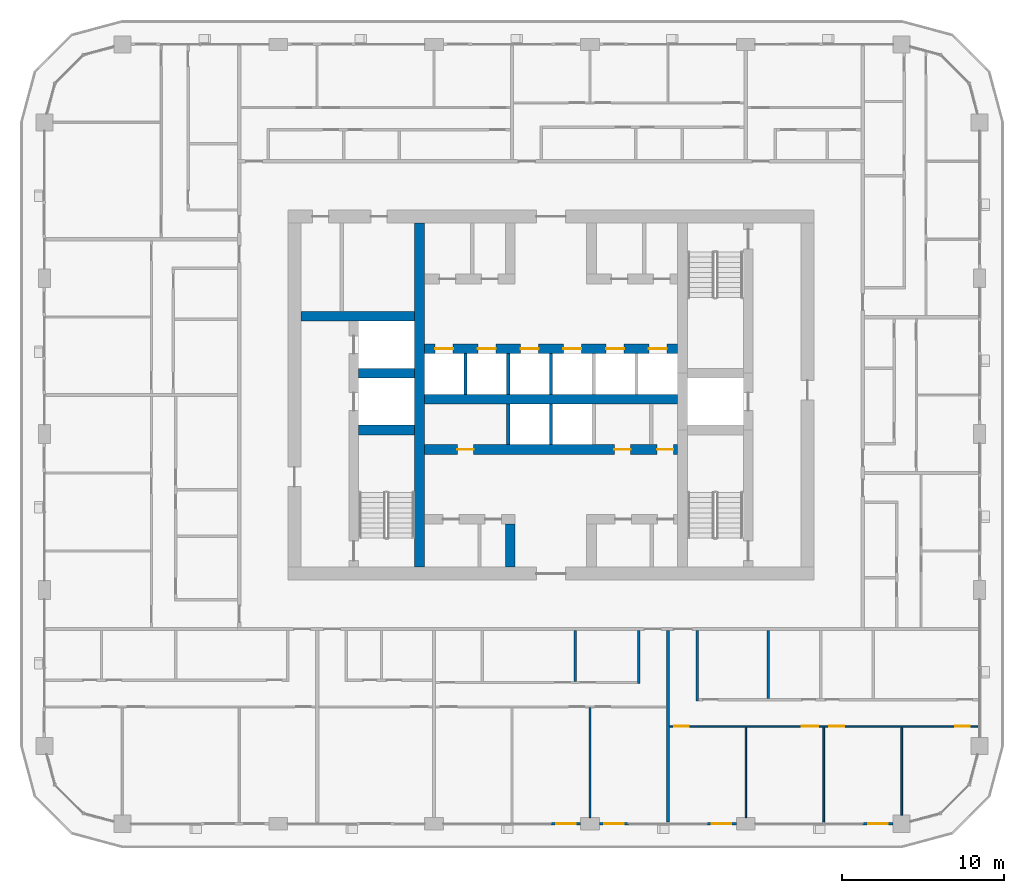
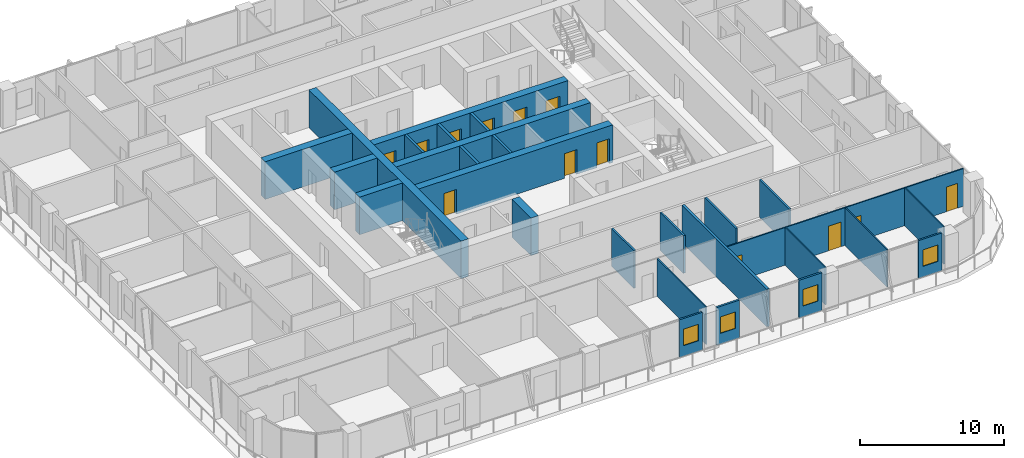
# One storey, part 11 of 22: 27 walls, 13 doors, 4 windows, 17 openings.
"""IFC4 building model written with IfcOpenShell, lengths in metres."""

from ifc_helpers import new_model, si_unit, direction, frame, frame_2d, origin, place, context, subcontext, project, spatial, rectangle, extrude, material, layer, layer_set, type_object, element, fill, save


model = new_model("IFC4")

# Units and contexts
model_context = context("Model", 3, precision=1e-05, world=origin(), true_north=direction((0.0, 1.0)))
body_context = subcontext(model_context, "Body", "Model", "MODEL_VIEW")
ifc_project = project(units=[si_unit("LENGTHUNIT", "METRE"), si_unit("AREAUNIT", "SQUARE_METRE"), si_unit("VOLUMEUNIT", "CUBIC_METRE"), si_unit("PLANEANGLEUNIT", "RADIAN"), si_unit("MASSUNIT", "GRAM", prefix="KILO")], contexts=[model_context])

# Site, building, storey
site_placement = place(None, origin())
site = spatial("IfcSite", under=ifc_project, at=site_placement, CompositionType="ELEMENT")
building_placement = place(site_placement, origin())
building = spatial("IfcBuilding", under=site, at=building_placement, Name="Madar Terraces", CompositionType="ELEMENT")
storey_placement = place(building_placement, frame((0.0, 0.0, 159.5)))
storey = spatial("IfcBuildingStorey", under=building, at=storey_placement, Name="L41", CompositionType="ELEMENT", Elevation=159.5)

# Walls
ifc_material_1 = material(Name="Concrete C70/85", Category="concrete")
ifc_layer_1 = layer(ifc_material_1, 0.60009765625)
ifc_layer_set_1 = layer_set([ifc_layer_1], Name="Concrete C70/85 (CIW3 RC wall 600)")
wall_type_1 = type_object("IfcWallType", Name="CIW3 RC wall 600", PredefinedType="SHEAR", material=ifc_layer_set_1)
wall_1_placement = place(storey_placement, frame((23.10009765625, 15.800048828125, 0.0), z_axis=(0.0, 0.0, 1.0), x_axis=(0.0, 1.0, 0.0)))
element("IfcWall", 1, at=wall_1_placement, inside=storey, type_object=wall_type_1, Name="CORE SHAFT WALL", PredefinedType="SHEAR", context=body_context, shape_type="SweptSolid", body=[
    extrude(rectangle(XDim=21.199951171875, YDim=0.60009765625, at=frame_2d((10.60009765625, 0.0))), origin(), (0.0, 0.0, 1.0), 3.199951171875),
])
for number, where, z_axis, x_axis, name in (
    (2, (19.35009765625, 24.25, 0.0), (0.0, 0.0, 1.0), (1.0, 0.0, 0.0), "CORE SHAFT WALL"),
    (3, (19.35009765625, 27.75, 0.0), (0.0, 0.0, 1.0), (1.0, 0.0, 0.0), "CORE SHAFT WALL"),
):
    element("IfcWall", number, at=place(storey_placement, frame(where, z_axis=z_axis, x_axis=x_axis)), inside=storey, type_object=wall_type_1, Name=name, PredefinedType="SHEAR", context=body_context, shape_type="SweptSolid", body=[
        extrude(rectangle(XDim=3.449951171875, YDim=0.60009765625, at=frame_2d((1.72509765625, 0.0))), origin(), (0.0, 0.0, 1.0), 3.199951171875),
    ])
wall_2_placement = place(storey_placement, frame((15.800048828125, 31.25, 0.0), z_axis=(0.0, 0.0, 1.0), x_axis=(1.0, 0.0, 0.0)))
element("IfcWall", 4, at=wall_2_placement, inside=storey, type_object=wall_type_1, Name="CORE SHAFT WALL", PredefinedType="SHEAR", context=body_context, shape_type="SweptSolid", body=[
    extrude(rectangle(XDim=7.0, YDim=0.60009765625, at=frame_2d((3.5, 0.0))), origin(), (0.0, 0.0, 1.0), 3.199951171875),
])

# Wall, openings, doors
wall_3_placement = place(storey_placement, frame((23.39990234375, 23.050048828125, 0.0), z_axis=(0.0, 0.0, 1.0), x_axis=(1.0, 0.0, 0.0)))
wall_3 = element("IfcWall", 5, at=wall_3_placement, inside=storey, type_object=wall_type_1, Name="CORE SHAFT WALL", PredefinedType="SHEAR", context=body_context, shape_type="SweptSolid", body=[
    extrude(rectangle(XDim=15.60009765625, YDim=0.60009765625, at=frame_2d((7.800048828125, 0.0))), origin(), (0.0, 0.0, 1.0), 3.199951171875),
])
opening_1_placement = place(wall_3_placement, frame((2.033447265625, 0.0, 0.0)))
opening_1 = element("IfcOpeningElement", 6, at=opening_1_placement, cuts=wall_3, Name="Opening KD2", PredefinedType="OPENING", context=body_context, shape_type="SweptSolid", body=[
    extrude(rectangle(XDim=1.0, YDim=2.10009765625, at=frame_2d((0.5, 1.050048828125))), frame((0.0, 0.31005859375, 0.0), z_axis=(0.0, -1.0, 0.0), x_axis=(1.0, 0.0, 0.0)), (0.0, 0.0, 1.0), 0.6201171875),
])
opening_2_placement = place(wall_3_placement, frame((11.7060546875, 0.0, 0.0)))
opening_2 = element("IfcOpeningElement", 7, at=opening_2_placement, cuts=wall_3, Name="Opening KD2", PredefinedType="OPENING", context=body_context, shape_type="SweptSolid", body=[
    extrude(rectangle(XDim=1.0, YDim=2.10009765625, at=frame_2d((0.5, 1.050048828125))), frame((0.0, 0.31005859375, 0.0), z_axis=(0.0, -1.0, 0.0), x_axis=(1.0, 0.0, 0.0)), (0.0, 0.0, 1.0), 0.6201171875),
])
opening_3_placement = place(wall_3_placement, frame((14.33935546875, 0.0, 0.0)))
opening_3 = element("IfcOpeningElement", 8, at=opening_3_placement, cuts=wall_3, Name="Opening KD2", PredefinedType="OPENING", context=body_context, shape_type="SweptSolid", body=[
    extrude(rectangle(XDim=1.0, YDim=2.10009765625, at=frame_2d((0.5, 1.050048828125))), frame((0.0, 0.31005859375, 0.0), z_axis=(0.0, -1.0, 0.0), x_axis=(1.0, 0.0, 0.0)), (0.0, 0.0, 1.0), 0.6201171875),
])
ifc_material_2 = material(Name="Steel door leaf", Category="steel")
door_type_1 = type_object("IfcDoorType", Name="Service room door 1000 x 2100", OperationType="NOTDEFINED", PredefinedType="DOOR", material=ifc_material_2)
door_1_placement = place(opening_1_placement, frame((1.0, 0.0, 0.0), z_axis=(0.0, 0.0, 1.0), x_axis=(-1.0, 0.0, 0.0)))
door_1 = element("IfcDoor", 9, at=door_1_placement, inside=storey, type_object=door_type_1, Name="SERVICE ROOM DOOR", OperationType="SINGLE_SWING_RIGHT", OverallHeight=2.10009765625, OverallWidth=1.0, PredefinedType="DOOR", context=body_context, shape_type="SweptSolid", body=[
    extrude(rectangle(XDim=1.0, YDim=2.10009765625, at=frame_2d((0.5, 1.050048828125))), frame((0.0, 0.02490234375, 0.0), z_axis=(0.0, -1.0, 0.0), x_axis=(1.0, 0.0, 0.0)), (0.0, 0.0, 1.0), 0.050048828125),
])
fill(opening_1, door_1)
door_2_placement = place(opening_2_placement, frame((1.0, 0.0, 0.0), z_axis=(0.0, 0.0, 1.0), x_axis=(-1.0, 0.0, 0.0)))
door_2 = element("IfcDoor", 10, at=door_2_placement, inside=storey, type_object=door_type_1, Name="SERVICE ROOM DOOR", OperationType="SINGLE_SWING_LEFT", OverallHeight=2.10009765625, OverallWidth=1.0, PredefinedType="DOOR", context=body_context, shape_type="SweptSolid", body=[
    extrude(rectangle(XDim=1.0, YDim=2.10009765625, at=frame_2d((0.5, 1.050048828125))), frame((0.0, 0.02490234375, 0.0), z_axis=(0.0, -1.0, 0.0), x_axis=(1.0, 0.0, 0.0)), (0.0, 0.0, 1.0), 0.050048828125),
])
fill(opening_2, door_2)
door_3_placement = place(opening_3_placement, frame((1.0, 0.0, 0.0), z_axis=(0.0, 0.0, 1.0), x_axis=(-1.0, 0.0, 0.0)))
door_3 = element("IfcDoor", 11, at=door_3_placement, inside=storey, type_object=door_type_1, Name="SERVICE ROOM DOOR", OperationType="SINGLE_SWING_RIGHT", OverallHeight=2.10009765625, OverallWidth=1.0, PredefinedType="DOOR", context=body_context, shape_type="SweptSolid", body=[
    extrude(rectangle(XDim=1.0, YDim=2.10009765625, at=frame_2d((0.5, 1.050048828125))), frame((0.0, 0.02490234375, 0.0), z_axis=(0.0, -1.0, 0.0), x_axis=(1.0, 0.0, 0.0)), (0.0, 0.0, 1.0), 0.050048828125),
])
fill(opening_3, door_3)

# Wall
wall_4_placement = place(storey_placement, frame((23.39990234375, 26.14990234375, 0.0), z_axis=(0.0, 0.0, 1.0), x_axis=(1.0, 0.0, 0.0)))
element("IfcWall", 12, at=wall_4_placement, inside=storey, type_object=wall_type_1, Name="CORE SHAFT WALL", PredefinedType="SHEAR", context=body_context, shape_type="SweptSolid", body=[
    extrude(rectangle(XDim=15.60009765625, YDim=0.60009765625, at=frame_2d((7.800048828125, 0.0))), origin(), (0.0, 0.0, 1.0), 3.199951171875),
])

# Wall, openings, doors
wall_5_placement = place(storey_placement, frame((23.39990234375, 29.25, 0.0), z_axis=(0.0, 0.0, 1.0), x_axis=(1.0, 0.0, 0.0)))
wall_5 = element("IfcWall", 13, at=wall_5_placement, inside=storey, type_object=wall_type_1, Name="CORE SHAFT WALL", PredefinedType="SHEAR", context=body_context, shape_type="SweptSolid", body=[
    extrude(rectangle(XDim=15.60009765625, YDim=0.60009765625, at=frame_2d((7.800048828125, 0.0))), origin(), (0.0, 0.0, 1.0), 3.199951171875),
])
opening_4_placement = place(wall_5_placement, frame((0.666748046875, 0.0, 0.0)))
opening_4 = element("IfcOpeningElement", 14, at=opening_4_placement, cuts=wall_5, Name="Opening LD", PredefinedType="OPENING", context=body_context, shape_type="SweptSolid", body=[
    extrude(rectangle(XDim=1.10009765625, YDim=2.10009765625, at=frame_2d((0.550048828125, 1.050048828125))), frame((0.0, 0.31005859375, 0.0), z_axis=(0.0, -1.0, 0.0), x_axis=(1.0, 0.0, 0.0)), (0.0, 0.0, 1.0), 0.6201171875),
])
opening_5_placement = place(wall_5_placement, frame((3.300048828125, 0.0, 0.0)))
opening_5 = element("IfcOpeningElement", 15, at=opening_5_placement, cuts=wall_5, Name="Opening LD", PredefinedType="OPENING", context=body_context, shape_type="SweptSolid", body=[
    extrude(rectangle(XDim=1.10009765625, YDim=2.10009765625, at=frame_2d((0.550048828125, 1.050048828125))), frame((0.0, 0.31005859375, 0.0), z_axis=(0.0, -1.0, 0.0), x_axis=(1.0, 0.0, 0.0)), (0.0, 0.0, 1.0), 0.6201171875),
])
opening_6_placement = place(wall_5_placement, frame((5.933349609375, 0.0, 0.0)))
opening_6 = element("IfcOpeningElement", 16, at=opening_6_placement, cuts=wall_5, Name="Opening LD", PredefinedType="OPENING", context=body_context, shape_type="SweptSolid", body=[
    extrude(rectangle(XDim=1.10009765625, YDim=2.10009765625, at=frame_2d((0.550048828125, 1.050048828125))), frame((0.0, 0.31005859375, 0.0), z_axis=(0.0, -1.0, 0.0), x_axis=(1.0, 0.0, 0.0)), (0.0, 0.0, 1.0), 0.6201171875),
])
opening_7_placement = place(wall_5_placement, frame((8.566650390625, 0.0, 0.0)))
opening_7 = element("IfcOpeningElement", 17, at=opening_7_placement, cuts=wall_5, Name="Opening LD", PredefinedType="OPENING", context=body_context, shape_type="SweptSolid", body=[
    extrude(rectangle(XDim=1.10009765625, YDim=2.10009765625, at=frame_2d((0.550048828125, 1.050048828125))), frame((0.0, 0.31005859375, 0.0), z_axis=(0.0, -1.0, 0.0), x_axis=(1.0, 0.0, 0.0)), (0.0, 0.0, 1.0), 0.6201171875),
])
opening_8_placement = place(wall_5_placement, frame((11.199951171875, 0.0, 0.0)))
opening_8 = element("IfcOpeningElement", 18, at=opening_8_placement, cuts=wall_5, Name="Opening LD", PredefinedType="OPENING", context=body_context, shape_type="SweptSolid", body=[
    extrude(rectangle(XDim=1.10009765625, YDim=2.10009765625, at=frame_2d((0.550048828125, 1.050048828125))), frame((0.0, 0.31005859375, 0.0), z_axis=(0.0, -1.0, 0.0), x_axis=(1.0, 0.0, 0.0)), (0.0, 0.0, 1.0), 0.6201171875),
])
opening_9_placement = place(wall_5_placement, frame((13.833251953125, 0.0, 0.0)))
opening_9 = element("IfcOpeningElement", 19, at=opening_9_placement, cuts=wall_5, Name="Opening LD", PredefinedType="OPENING", context=body_context, shape_type="SweptSolid", body=[
    extrude(rectangle(XDim=1.10009765625, YDim=2.10009765625, at=frame_2d((0.550048828125, 1.050048828125))), frame((0.0, 0.31005859375, 0.0), z_axis=(0.0, -1.0, 0.0), x_axis=(1.0, 0.0, 0.0)), (0.0, 0.0, 1.0), 0.6201171875),
])
ifc_material_3 = material(Name="Stainless steel panel", Category="steel")
door_type_2 = type_object("IfcDoorType", Name="Lift landing door 1100 x 2100", OperationType="DOUBLE_DOOR_SLIDING", PredefinedType="DOOR", material=ifc_material_3)
door_4_placement = place(opening_4_placement, origin())
door_4 = element("IfcDoor", 20, at=door_4_placement, inside=storey, type_object=door_type_2, Name="LIFT LANDING DOOR", OperationType="DOUBLE_DOOR_SLIDING", OverallHeight=2.10009765625, OverallWidth=1.10009765625, PredefinedType="DOOR", context=body_context, shape_type="SweptSolid", body=[
    extrude(rectangle(XDim=1.10009765625, YDim=2.10009765625, at=frame_2d((0.550048828125, 1.050048828125))), frame((0.0, 0.02490234375, 0.0), z_axis=(0.0, -1.0, 0.0), x_axis=(1.0, 0.0, 0.0)), (0.0, 0.0, 1.0), 0.050048828125),
])
fill(opening_4, door_4)
door_5_placement = place(opening_5_placement, origin())
door_5 = element("IfcDoor", 21, at=door_5_placement, inside=storey, type_object=door_type_2, Name="LIFT LANDING DOOR", OperationType="DOUBLE_DOOR_SLIDING", OverallHeight=2.10009765625, OverallWidth=1.10009765625, PredefinedType="DOOR", context=body_context, shape_type="SweptSolid", body=[
    extrude(rectangle(XDim=1.10009765625, YDim=2.10009765625, at=frame_2d((0.550048828125, 1.050048828125))), frame((0.0, 0.02490234375, 0.0), z_axis=(0.0, -1.0, 0.0), x_axis=(1.0, 0.0, 0.0)), (0.0, 0.0, 1.0), 0.050048828125),
])
fill(opening_5, door_5)
door_6_placement = place(opening_6_placement, origin())
door_6 = element("IfcDoor", 22, at=door_6_placement, inside=storey, type_object=door_type_2, Name="LIFT LANDING DOOR", OperationType="DOUBLE_DOOR_SLIDING", OverallHeight=2.10009765625, OverallWidth=1.10009765625, PredefinedType="DOOR", context=body_context, shape_type="SweptSolid", body=[
    extrude(rectangle(XDim=1.10009765625, YDim=2.10009765625, at=frame_2d((0.550048828125, 1.050048828125))), frame((0.0, 0.02490234375, 0.0), z_axis=(0.0, -1.0, 0.0), x_axis=(1.0, 0.0, 0.0)), (0.0, 0.0, 1.0), 0.050048828125),
])
fill(opening_6, door_6)
door_7_placement = place(opening_7_placement, origin())
door_7 = element("IfcDoor", 23, at=door_7_placement, inside=storey, type_object=door_type_2, Name="LIFT LANDING DOOR", OperationType="DOUBLE_DOOR_SLIDING", OverallHeight=2.10009765625, OverallWidth=1.10009765625, PredefinedType="DOOR", context=body_context, shape_type="SweptSolid", body=[
    extrude(rectangle(XDim=1.10009765625, YDim=2.10009765625, at=frame_2d((0.550048828125, 1.050048828125))), frame((0.0, 0.02490234375, 0.0), z_axis=(0.0, -1.0, 0.0), x_axis=(1.0, 0.0, 0.0)), (0.0, 0.0, 1.0), 0.050048828125),
])
fill(opening_7, door_7)
door_8_placement = place(opening_8_placement, origin())
door_8 = element("IfcDoor", 24, at=door_8_placement, inside=storey, type_object=door_type_2, Name="LIFT LANDING DOOR", OperationType="DOUBLE_DOOR_SLIDING", OverallHeight=2.10009765625, OverallWidth=1.10009765625, PredefinedType="DOOR", context=body_context, shape_type="SweptSolid", body=[
    extrude(rectangle(XDim=1.10009765625, YDim=2.10009765625, at=frame_2d((0.550048828125, 1.050048828125))), frame((0.0, 0.02490234375, 0.0), z_axis=(0.0, -1.0, 0.0), x_axis=(1.0, 0.0, 0.0)), (0.0, 0.0, 1.0), 0.050048828125),
])
fill(opening_8, door_8)
door_9_placement = place(opening_9_placement, origin())
door_9 = element("IfcDoor", 25, at=door_9_placement, inside=storey, type_object=door_type_2, Name="LIFT LANDING DOOR", OperationType="DOUBLE_DOOR_SLIDING", OverallHeight=2.10009765625, OverallWidth=1.10009765625, PredefinedType="DOOR", context=body_context, shape_type="SweptSolid", body=[
    extrude(rectangle(XDim=1.10009765625, YDim=2.10009765625, at=frame_2d((0.550048828125, 1.050048828125))), frame((0.0, 0.02490234375, 0.0), z_axis=(0.0, -1.0, 0.0), x_axis=(1.0, 0.0, 0.0)), (0.0, 0.0, 1.0), 0.050048828125),
])
fill(opening_9, door_9)

# Walls
wall_6_placement = place(storey_placement, frame((28.699951171875, 15.800048828125, 0.0), z_axis=(0.0, 0.0, 1.0), x_axis=(0.0, 1.0, 0.0)))
element("IfcWall", 26, at=wall_6_placement, inside=storey, type_object=wall_type_1, Name="CORE SHAFT WALL", PredefinedType="SHEAR", context=body_context, shape_type="SweptSolid", body=[
    extrude(rectangle(XDim=2.64990234375, YDim=0.60009765625, at=frame_2d((1.324951171875, 0.0))), origin(), (0.0, 0.0, 1.0), 3.199951171875),
])
ifc_material_4 = material(Name="Concrete C40/50", Category="concrete")
ifc_layer_2 = layer(ifc_material_4, 0.199951171875)
ifc_layer_set_2 = layer_set([ifc_layer_2], Name="Core shaft dividing wall 200 C40/50")
wall_type_2 = type_object("IfcWallType", Name="Core shaft dividing wall 200 C40/50", PredefinedType="SOLIDWALL", material=ifc_layer_set_2)
for number, where, z_axis, x_axis, name in (
    (27, (25.933349609375, 26.449951171875, 0.0), (0.0, 0.0, 1.0), (0.0, 1.0, 0.0), "SHAFT DIVIDING WALL"),
    (28, (28.566650390625, 23.35009765625, 0.0), (0.0, 0.0, 1.0), (0.0, 1.0, 0.0), "SHAFT DIVIDING WALL"),
    (29, (28.566650390625, 26.449951171875, 0.0), (0.0, 0.0, 1.0), (0.0, 1.0, 0.0), "SHAFT DIVIDING WALL"),
    (30, (31.199951171875, 23.35009765625, 0.0), (0.0, 0.0, 1.0), (0.0, 1.0, 0.0), "SHAFT DIVIDING WALL"),
    (31, (31.199951171875, 26.449951171875, 0.0), (0.0, 0.0, 1.0), (0.0, 1.0, 0.0), "SHAFT DIVIDING WALL"),
):
    element("IfcWall", number, at=place(storey_placement, frame(where, z_axis=z_axis, x_axis=x_axis)), inside=storey, type_object=wall_type_2, Name=name, PredefinedType="SOLIDWALL", context=body_context, shape_type="SweptSolid", body=[
        extrude(rectangle(XDim=2.5, YDim=0.199951171875, at=frame_2d((1.25, 0.0))), origin(), (0.0, 0.0, 1.0), 3.199951171875),
    ])

# Wall, opening, window
ifc_material_5 = material(Name="Aluminium composite panel, black, over insulated backing", Category="aluminium")
ifc_layer_3 = layer(ifc_material_5, 0.14990234375)
ifc_layer_set_3 = layer_set([ifc_layer_3], Name="Facade bay panel 150")
wall_type_3 = type_object("IfcWallType", Name="Facade bay panel 150", PredefinedType="SOLIDWALL", material=ifc_layer_set_3)
wall_7_placement = place(storey_placement, frame((31.199951171875, 0.0, 0.0), z_axis=(0.0, 0.0, 1.0), x_axis=(1.0, 0.0, 0.0)))
wall_7 = element("IfcWall", 32, at=wall_7_placement, inside=storey, type_object=wall_type_3, Name="Facade bay panel", PredefinedType="SOLIDWALL", context=body_context, shape_type="SweptSolid", body=[
    extrude(rectangle(XDim=1.824951171875, YDim=0.14990234375, at=frame_2d((0.91259765625, 0.0))), origin(), (0.0, 0.0, 1.0), 3.199951171875),
])
opening_10_placement = place(wall_7_placement, frame((0.3125, 0.0, 0.89990234375)))
opening_10 = element("IfcOpeningElement", 33, at=opening_10_placement, cuts=wall_7, Name="Opening W1", PredefinedType="OPENING", context=body_context, shape_type="SweptSolid", body=[
    extrude(rectangle(XDim=1.199951171875, YDim=1.39990234375, at=frame_2d((0.60009765625, 0.699951171875))), frame((0.0, 0.0849609375, 0.0), z_axis=(0.0, -1.0, 0.0), x_axis=(1.0, 0.0, 0.0)), (0.0, 0.0, 1.0), 0.169921875),
])
ifc_material_6 = material(Name="Glass, clear, with black aluminium frame", Category="aluminium")
window_type = type_object("IfcWindowType", Name="Vent window 1200 x 1400", PartitioningType="SINGLE_PANEL", PredefinedType="WINDOW", material=ifc_material_6)
window_1_placement = place(opening_10_placement, origin())
window_1 = element("IfcWindow", 34, at=window_1_placement, inside=storey, type_object=window_type, Name="Operable vent window", OverallHeight=1.39990234375, OverallWidth=1.199951171875, PartitioningType="SINGLE_PANEL", PredefinedType="WINDOW", context=body_context, shape_type="SweptSolid", body=[
    extrude(rectangle(XDim=1.199951171875, YDim=1.39990234375, at=frame_2d((0.60009765625, 0.699951171875))), frame((0.0, 0.030029296875, 0.0), z_axis=(0.0, -1.0, 0.0), x_axis=(1.0, 0.0, 0.0)), (0.0, 0.0, 1.0), 0.06005859375),
])
fill(opening_10, window_1)

wall_8_placement = place(storey_placement, frame((34.175048828125, 0.0, 0.0), z_axis=(0.0, 0.0, 1.0), x_axis=(1.0, 0.0, 0.0)))
wall_8 = element("IfcWall", 35, at=wall_8_placement, inside=storey, type_object=wall_type_3, Name="Facade bay panel", PredefinedType="SOLIDWALL", context=body_context, shape_type="SweptSolid", body=[
    extrude(rectangle(XDim=1.824951171875, YDim=0.14990234375, at=frame_2d((0.91259765625, 0.0))), origin(), (0.0, 0.0, 1.0), 3.199951171875),
])
opening_11_placement = place(wall_8_placement, frame((0.3125, 0.0, 0.89990234375)))
opening_11 = element("IfcOpeningElement", 36, at=opening_11_placement, cuts=wall_8, Name="Opening W1", PredefinedType="OPENING", context=body_context, shape_type="SweptSolid", body=[
    extrude(rectangle(XDim=1.199951171875, YDim=1.39990234375, at=frame_2d((0.60009765625, 0.699951171875))), frame((0.0, 0.0849609375, 0.0), z_axis=(0.0, -1.0, 0.0), x_axis=(1.0, 0.0, 0.0)), (0.0, 0.0, 1.0), 0.169921875),
])
window_2_placement = place(opening_11_placement, origin())
window_2 = element("IfcWindow", 37, at=window_2_placement, inside=storey, type_object=window_type, Name="Operable vent window", OverallHeight=1.39990234375, OverallWidth=1.199951171875, PartitioningType="SINGLE_PANEL", PredefinedType="WINDOW", context=body_context, shape_type="SweptSolid", body=[
    extrude(rectangle(XDim=1.199951171875, YDim=1.39990234375, at=frame_2d((0.60009765625, 0.699951171875))), frame((0.0, 0.030029296875, 0.0), z_axis=(0.0, -1.0, 0.0), x_axis=(1.0, 0.0, 0.0)), (0.0, 0.0, 1.0), 0.06005859375),
])
fill(opening_11, window_2)

wall_9_placement = place(storey_placement, frame((40.800048828125, 0.0, 0.0), z_axis=(0.0, 0.0, 1.0), x_axis=(1.0, 0.0, 0.0)))
wall_9 = element("IfcWall", 38, at=wall_9_placement, inside=storey, type_object=wall_type_3, Name="Facade bay panel", PredefinedType="SOLIDWALL", context=body_context, shape_type="SweptSolid", body=[
    extrude(rectangle(XDim=1.824951171875, YDim=0.14990234375, at=frame_2d((0.91259765625, 0.0))), origin(), (0.0, 0.0, 1.0), 3.199951171875),
])
opening_12_placement = place(wall_9_placement, frame((0.3125, 0.0, 0.89990234375)))
opening_12 = element("IfcOpeningElement", 39, at=opening_12_placement, cuts=wall_9, Name="Opening W1", PredefinedType="OPENING", context=body_context, shape_type="SweptSolid", body=[
    extrude(rectangle(XDim=1.199951171875, YDim=1.39990234375, at=frame_2d((0.60009765625, 0.699951171875))), frame((0.0, 0.0849609375, 0.0), z_axis=(0.0, -1.0, 0.0), x_axis=(1.0, 0.0, 0.0)), (0.0, 0.0, 1.0), 0.169921875),
])
window_3_placement = place(opening_12_placement, origin())
window_3 = element("IfcWindow", 40, at=window_3_placement, inside=storey, type_object=window_type, Name="Operable vent window", OverallHeight=1.39990234375, OverallWidth=1.199951171875, PartitioningType="SINGLE_PANEL", PredefinedType="WINDOW", context=body_context, shape_type="SweptSolid", body=[
    extrude(rectangle(XDim=1.199951171875, YDim=1.39990234375, at=frame_2d((0.60009765625, 0.699951171875))), frame((0.0, 0.030029296875, 0.0), z_axis=(0.0, -1.0, 0.0), x_axis=(1.0, 0.0, 0.0)), (0.0, 0.0, 1.0), 0.06005859375),
])
fill(opening_12, window_3)

wall_10_placement = place(storey_placement, frame((50.39990234375, 0.0, 0.0), z_axis=(0.0, 0.0, 1.0), x_axis=(1.0, 0.0, 0.0)))
wall_10 = element("IfcWall", 41, at=wall_10_placement, inside=storey, type_object=wall_type_3, Name="Facade bay panel", PredefinedType="SOLIDWALL", context=body_context, shape_type="SweptSolid", body=[
    extrude(rectangle(XDim=1.875, YDim=0.14990234375, at=frame_2d((0.9375, 0.0))), origin(), (0.0, 0.0, 1.0), 3.199951171875),
])
opening_13_placement = place(wall_10_placement, frame((0.33740234375, 0.0, 0.89990234375)))
opening_13 = element("IfcOpeningElement", 42, at=opening_13_placement, cuts=wall_10, Name="Opening W1", PredefinedType="OPENING", context=body_context, shape_type="SweptSolid", body=[
    extrude(rectangle(XDim=1.199951171875, YDim=1.39990234375, at=frame_2d((0.60009765625, 0.699951171875))), frame((0.0, 0.0849609375, 0.0), z_axis=(0.0, -1.0, 0.0), x_axis=(1.0, 0.0, 0.0)), (0.0, 0.0, 1.0), 0.169921875),
])
window_4_placement = place(opening_13_placement, origin())
window_4 = element("IfcWindow", 43, at=window_4_placement, inside=storey, type_object=window_type, Name="Operable vent window", OverallHeight=1.39990234375, OverallWidth=1.199951171875, PartitioningType="SINGLE_PANEL", PredefinedType="WINDOW", context=body_context, shape_type="SweptSolid", body=[
    extrude(rectangle(XDim=1.199951171875, YDim=1.39990234375, at=frame_2d((0.60009765625, 0.699951171875))), frame((0.0, 0.030029296875, 0.0), z_axis=(0.0, -1.0, 0.0), x_axis=(1.0, 0.0, 0.0)), (0.0, 0.0, 1.0), 0.06005859375),
])
fill(opening_13, window_4)

# Walls
ifc_material_7 = material(Name="Gypsum board on steel studs", Category="steel")
ifc_layer_4 = layer(ifc_material_7, 0.10009765625)
ifc_layer_set_4 = layer_set([ifc_layer_4], Name="Flat partition 100")
wall_type_4 = type_object("IfcWallType", Name="Flat partition 100", PredefinedType="PARTITIONING", material=ifc_layer_set_4)
wall_11_placement = place(storey_placement, frame((33.60009765625, 7.14990234375, 0.0), z_axis=(0.0, 0.0, 1.0), x_axis=(0.0, -1.0, 0.0)))
element("IfcWall", 44, at=wall_11_placement, inside=storey, type_object=wall_type_4, Name="Flat partition 100", PredefinedType="PARTITIONING", context=body_context, shape_type="SweptSolid", body=[
    extrude(rectangle(XDim=6.77490234375, YDim=0.10009765625, at=frame_2d((3.387451171875, 0.0))), origin(), (0.0, 0.0, 1.0), 3.199951171875),
])
wall_12_placement = place(storey_placement, frame((43.199951171875, 5.949951171875, 0.0), z_axis=(0.0, 0.0, 1.0), x_axis=(0.0, -1.0, 0.0)))
element("IfcWall", 45, at=wall_12_placement, inside=storey, type_object=wall_type_4, Name="Flat partition 100", PredefinedType="PARTITIONING", context=body_context, shape_type="SweptSolid", body=[
    extrude(rectangle(XDim=5.574951171875, YDim=0.10009765625, at=frame_2d((2.78759765625, 0.0))), origin(), (0.0, 0.0, 1.0), 3.199951171875),
])
wall_13_placement = place(storey_placement, frame((48.0, 5.949951171875, 0.0), z_axis=(0.0, 0.0, 1.0), x_axis=(0.0, -1.0, 0.0)))
element("IfcWall", 46, at=wall_13_placement, inside=storey, type_object=wall_type_4, Name="Flat partition 100", PredefinedType="PARTITIONING", context=body_context, shape_type="SweptSolid", body=[
    extrude(rectangle(XDim=5.849853515625, YDim=0.10009765625, at=frame_2d((2.9248046875, 0.0))), origin(), (0.0, 0.0, 1.0), 3.199951171875),
])
wall_14_placement = place(storey_placement, frame((52.800048828125, 5.949951171875, 0.0), z_axis=(0.0, 0.0, 1.0), x_axis=(0.0, -1.0, 0.0)))
element("IfcWall", 47, at=wall_14_placement, inside=storey, type_object=wall_type_4, Name="Flat partition 100", PredefinedType="PARTITIONING", context=body_context, shape_type="SweptSolid", body=[
    extrude(rectangle(XDim=5.425048828125, YDim=0.10009765625, at=frame_2d((2.71240234375, 0.0))), origin(), (0.0, 0.0, 1.0), 3.199951171875),
])

# Wall, openings, doors
wall_15_placement = place(storey_placement, frame((57.5, 6.0, 0.0), z_axis=(0.0, 0.0, 1.0), x_axis=(-1.0, 0.0, 0.0)))
wall_15 = element("IfcWall", 48, at=wall_15_placement, inside=storey, type_object=wall_type_4, Name="Flat partition 100", PredefinedType="PARTITIONING", context=body_context, shape_type="SweptSolid", body=[
    extrude(rectangle(XDim=19.0, YDim=0.10009765625, at=frame_2d((9.5, 0.0))), origin(), (0.0, 0.0, 1.0), 3.199951171875),
])
opening_14_placement = place(wall_15_placement, frame((17.800048828125, 0.0, 0.0)))
opening_14 = element("IfcOpeningElement", 49, at=opening_14_placement, cuts=wall_15, Name="Opening D2", PredefinedType="OPENING", context=body_context, shape_type="SweptSolid", body=[
    extrude(rectangle(XDim=0.89990234375, YDim=2.10009765625, at=frame_2d((0.449951171875, 1.050048828125))), frame((0.0, 0.06005859375, 0.0), z_axis=(0.0, -1.0, 0.0), x_axis=(1.0, 0.0, 0.0)), (0.0, 0.0, 1.0), 0.1201171875),
])
opening_15_placement = place(wall_15_placement, frame((9.85009765625, 0.0, 0.0)))
opening_15 = element("IfcOpeningElement", 50, at=opening_15_placement, cuts=wall_15, Name="Opening D3", PredefinedType="OPENING", context=body_context, shape_type="SweptSolid", body=[
    extrude(rectangle(XDim=1.0, YDim=2.10009765625, at=frame_2d((0.5, 1.050048828125))), frame((0.0, 0.06005859375, 0.0), z_axis=(0.0, -1.0, 0.0), x_axis=(1.0, 0.0, 0.0)), (0.0, 0.0, 1.0), 0.1201171875),
])
opening_16_placement = place(wall_15_placement, frame((8.25, 0.0, 0.0)))
opening_16 = element("IfcOpeningElement", 51, at=opening_16_placement, cuts=wall_15, Name="Opening D2", PredefinedType="OPENING", context=body_context, shape_type="SweptSolid", body=[
    extrude(rectangle(XDim=0.89990234375, YDim=2.10009765625, at=frame_2d((0.449951171875, 1.050048828125))), frame((0.0, 0.06005859375, 0.0), z_axis=(0.0, -1.0, 0.0), x_axis=(1.0, 0.0, 0.0)), (0.0, 0.0, 1.0), 0.1201171875),
])
opening_17_placement = place(wall_15_placement, frame((0.5, 0.0, 0.0)))
opening_17 = element("IfcOpeningElement", 52, at=opening_17_placement, cuts=wall_15, Name="Opening D2", PredefinedType="OPENING", context=body_context, shape_type="SweptSolid", body=[
    extrude(rectangle(XDim=0.89990234375, YDim=2.10009765625, at=frame_2d((0.449951171875, 1.050048828125))), frame((0.0, 0.06005859375, 0.0), z_axis=(0.0, -1.0, 0.0), x_axis=(1.0, 0.0, 0.0)), (0.0, 0.0, 1.0), 0.1201171875),
])
ifc_material_8 = material(Name="Timber door leaf", Category="wood")
door_type_3 = type_object("IfcDoorType", Name="Flat living room door 1000", OperationType="NOTDEFINED", PredefinedType="DOOR", material=ifc_material_8)
door_10_placement = place(opening_15_placement, origin())
door_10 = element("IfcDoor", 53, at=door_10_placement, inside=storey, type_object=door_type_3, Name="Flat living room door 1000", OperationType="SINGLE_SWING_LEFT", OverallHeight=2.10009765625, OverallWidth=1.0, PredefinedType="DOOR", context=body_context, shape_type="SweptSolid", body=[
    extrude(rectangle(XDim=1.0, YDim=2.10009765625, at=frame_2d((0.5, 1.050048828125))), frame((0.0, 0.02490234375, 0.0), z_axis=(0.0, -1.0, 0.0), x_axis=(1.0, 0.0, 0.0)), (0.0, 0.0, 1.0), 0.050048828125),
])
fill(opening_15, door_10)
ifc_material_9 = material(Name="Timber door leaf", Category="wood")
door_type_4 = type_object("IfcDoorType", Name="Flat room door 900", OperationType="NOTDEFINED", PredefinedType="DOOR", material=ifc_material_9)
door_11_placement = place(opening_14_placement, origin())
door_11 = element("IfcDoor", 54, at=door_11_placement, inside=storey, type_object=door_type_4, Name="Flat room door 900", OperationType="SINGLE_SWING_RIGHT", OverallHeight=2.10009765625, OverallWidth=0.89990234375, PredefinedType="DOOR", context=body_context, shape_type="SweptSolid", body=[
    extrude(rectangle(XDim=0.89990234375, YDim=2.10009765625, at=frame_2d((0.449951171875, 1.050048828125))), frame((0.0, 0.02490234375, 0.0), z_axis=(0.0, -1.0, 0.0), x_axis=(1.0, 0.0, 0.0)), (0.0, 0.0, 1.0), 0.050048828125),
])
fill(opening_14, door_11)
door_12_placement = place(opening_16_placement, origin())
door_12 = element("IfcDoor", 55, at=door_12_placement, inside=storey, type_object=door_type_4, Name="Flat room door 900", OperationType="SINGLE_SWING_RIGHT", OverallHeight=2.10009765625, OverallWidth=0.89990234375, PredefinedType="DOOR", context=body_context, shape_type="SweptSolid", body=[
    extrude(rectangle(XDim=0.89990234375, YDim=2.10009765625, at=frame_2d((0.449951171875, 1.050048828125))), frame((0.0, 0.02490234375, 0.0), z_axis=(0.0, -1.0, 0.0), x_axis=(1.0, 0.0, 0.0)), (0.0, 0.0, 1.0), 0.050048828125),
])
fill(opening_16, door_12)
door_13_placement = place(opening_17_placement, origin())
door_13 = element("IfcDoor", 56, at=door_13_placement, inside=storey, type_object=door_type_4, Name="Flat room door 900", OperationType="SINGLE_SWING_LEFT", OverallHeight=2.10009765625, OverallWidth=0.89990234375, PredefinedType="DOOR", context=body_context, shape_type="SweptSolid", body=[
    extrude(rectangle(XDim=0.89990234375, YDim=2.10009765625, at=frame_2d((0.449951171875, 1.050048828125))), frame((0.0, 0.02490234375, 0.0), z_axis=(0.0, -1.0, 0.0), x_axis=(1.0, 0.0, 0.0)), (0.0, 0.0, 1.0), 0.050048828125),
])
fill(opening_17, door_13)

# Walls
ifc_material_10 = material(Name="Lightweight blockwork", Category="masonry")
ifc_layer_5 = layer(ifc_material_10, 0.199951171875)
ifc_layer_set_5 = layer_set([ifc_layer_5], Name="Flat party and entrance wall 200")
wall_type_5 = type_object("IfcWallType", Name="Flat party and entrance wall 200", PredefinedType="PARTITIONING", material=ifc_layer_set_5)
wall_16_placement = place(storey_placement, frame((38.39990234375, 11.89990234375, 0.0), z_axis=(0.0, 0.0, 1.0), x_axis=(0.0, -1.0, 0.0)))
element("IfcWall", 57, at=wall_16_placement, inside=storey, type_object=wall_type_5, Name="Flat party and entrance wall 200", PredefinedType="PARTITIONING", context=body_context, shape_type="SweptSolid", body=[
    extrude(rectangle(XDim=11.7998046875, YDim=0.199951171875, at=frame_2d((5.89990234375, 0.0))), origin(), (0.0, 0.0, 1.0), 3.199951171875),
])
ifc_material_11 = material(Name="Lightweight blockwork", Category="masonry")
ifc_layer_6 = layer(ifc_material_11, 0.14990234375)
ifc_layer_set_6 = layer_set([ifc_layer_6], Name="Flat wet-room partition 150")
wall_type_6 = type_object("IfcWallType", Name="Flat wet-room partition 150", PredefinedType="PARTITIONING", material=ifc_layer_set_6)
wall_17_placement = place(storey_placement, frame((32.701904296875, 11.89990234375, 0.0), z_axis=(0.0, 0.0, 1.0), x_axis=(0.0, -1.0, 0.0)))
element("IfcWall", 58, at=wall_17_placement, inside=storey, type_object=wall_type_6, Name="Flat wet-room partition 150", PredefinedType="PARTITIONING", context=body_context, shape_type="SweptSolid", body=[
    extrude(rectangle(XDim=3.125, YDim=0.14990234375, at=frame_2d((1.5625, 0.0))), origin(), (0.0, 0.0, 1.0), 3.199951171875),
])
wall_18_placement = place(storey_placement, frame((36.60009765625, 11.89990234375, 0.0), z_axis=(0.0, 0.0, 1.0), x_axis=(0.0, -1.0, 0.0)))
element("IfcWall", 59, at=wall_18_placement, inside=storey, type_object=wall_type_6, Name="Flat wet-room partition 150", PredefinedType="PARTITIONING", context=body_context, shape_type="SweptSolid", body=[
    extrude(rectangle(XDim=3.27490234375, YDim=0.14990234375, at=frame_2d((1.637451171875, 0.0))), origin(), (0.0, 0.0, 1.0), 3.199951171875),
])
wall_19_placement = place(storey_placement, frame((44.581298828125, 11.89990234375, 0.0), z_axis=(0.0, 0.0, 1.0), x_axis=(0.0, -1.0, 0.0)))
element("IfcWall", 60, at=wall_19_placement, inside=storey, type_object=wall_type_6, Name="Flat wet-room partition 150", PredefinedType="PARTITIONING", context=body_context, shape_type="SweptSolid", body=[
    extrude(rectangle(XDim=4.1748046875, YDim=0.14990234375, at=frame_2d((2.08740234375, 0.0))), origin(), (0.0, 0.0, 1.0), 3.199951171875),
])
wall_20_placement = place(storey_placement, frame((40.199951171875, 11.89990234375, 0.0), z_axis=(0.0, 0.0, 1.0), x_axis=(0.0, -1.0, 0.0)))
element("IfcWall", 61, at=wall_20_placement, inside=storey, type_object=wall_type_6, Name="Flat wet-room partition 150", PredefinedType="PARTITIONING", context=body_context, shape_type="SweptSolid", body=[
    extrude(rectangle(XDim=4.324951171875, YDim=0.14990234375, at=frame_2d((2.16259765625, 0.0))), origin(), (0.0, 0.0, 1.0), 3.199951171875),
])

save(model, "model.ifc")
